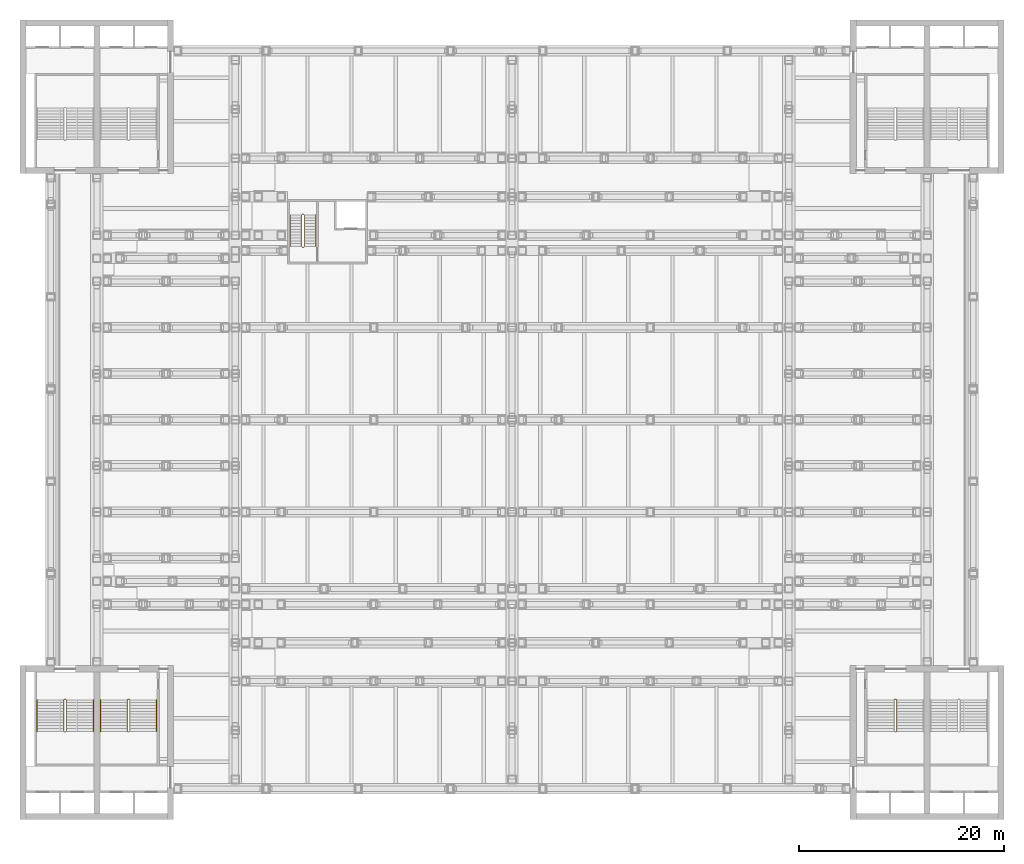
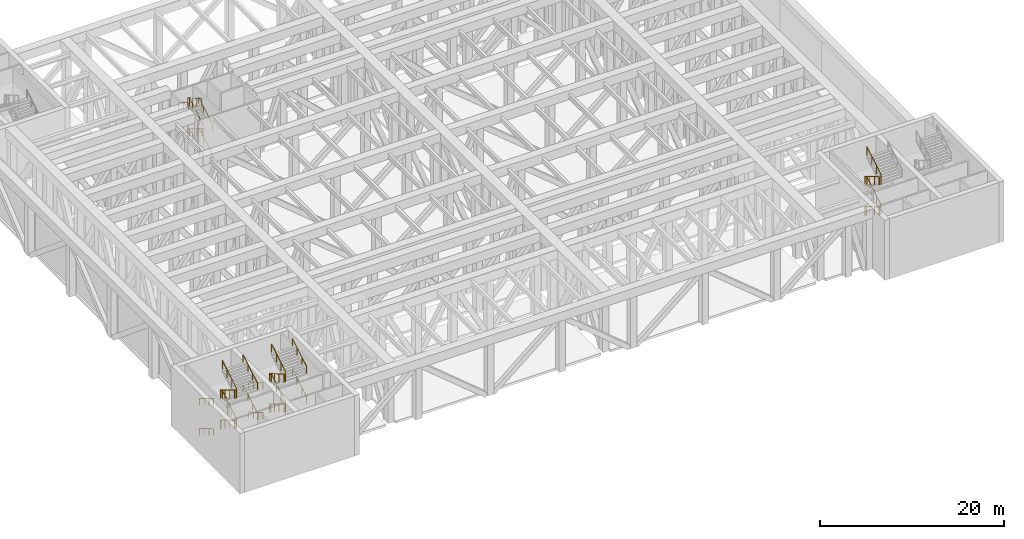
# One storey, part 18 of 20: 6 railings.
"""IFC4 building model written with IfcOpenShell, lengths in metres."""

from ifc_helpers import new_model, si_unit, direction, frame, origin, origin_2d, place, context, subcontext, project, spatial, circle, extrude, material, type_object, element, save


model = new_model("IFC4")

# Units and contexts
model_context = context("Model", 3, precision=1e-05, world=origin(), true_north=direction((0.0, 1.0)))
body_context = subcontext(model_context, "Body", "Model", "MODEL_VIEW")
ifc_project = project(units=[si_unit("LENGTHUNIT", "METRE"), si_unit("AREAUNIT", "SQUARE_METRE"), si_unit("VOLUMEUNIT", "CUBIC_METRE"), si_unit("PLANEANGLEUNIT", "RADIAN"), si_unit("MASSUNIT", "GRAM", prefix="KILO")], contexts=[model_context])

# Site, building, storey
site_placement = place(None, origin())
site = spatial("IfcSite", under=ifc_project, at=site_placement, CompositionType="ELEMENT")
building_placement = place(site_placement, origin())
building = spatial("IfcBuilding", under=site, at=building_placement, Name="Corbelhall Arena Tower", CompositionType="ELEMENT")
storey_placement = place(building_placement, frame((0.0, 0.0, 52.0)))
storey = spatial("IfcBuildingStorey", under=building, at=storey_placement, Name="L07", CompositionType="ELEMENT", Elevation=52.0)

# Railings
ifc_material_1 = material(Name="Stainless steel A4", Category="steel")
railing_type_1 = type_object("IfcRailingType", Name="AR-STAIR-GUARD", PredefinedType="GUARDRAIL", material=ifc_material_1)
railing_1_placement = place(storey_placement, frame((37.280029296875, -27.320068359375, 0.166748046875)))
element("IfcRailing", 1, at=railing_1_placement, inside=storey, type_object=railing_type_1, Name="L07 AS5 stair guards", PredefinedType="GUARDRAIL", context=body_context, shape_type="SweptSolid", body=[
    extrude(circle(Radius=0.02392578125, at=origin_2d()), frame((0.0, 0.0, 1.076171875), z_axis=(0.0, -0.859290745958, 0.51148745235), x_axis=(1.0, 0.0, 0.0)), (0.0, 0.0, 1.0), 3.584228515625),
    extrude(circle(Radius=0.02392578125, at=origin_2d()), frame((0.050048828125, -3.1298828125, 2.9091796875), z_axis=(1.0, 0.0, 0.0), x_axis=(0.0, 1.0, 0.0)), (0.0, 0.0, 1.0), 0.14990234375),
    extrude(circle(Radius=0.02392578125, at=origin_2d()), frame((0.25, -3.079833984375, 3.076171875), z_axis=(0.0, 0.859290745958, 0.51148745235), x_axis=(-1.0, 0.0, 0.0)), (0.0, 0.0, 1.0), 3.584228515625),
    extrude(circle(Radius=0.02392578125, at=origin_2d()), frame((0.050048828125, 0.050048828125, 4.9091796875), z_axis=(1.0, 0.0, 0.0), x_axis=(0.0, 1.0, 0.0)), (0.0, 0.0, 1.0), 0.14990234375),
    extrude(circle(Radius=0.02392578125, at=origin_2d()), frame((0.0, 0.0, 5.076171875), z_axis=(0.0, -0.859290745958, 0.51148745235), x_axis=(1.0, 0.0, 0.0)), (0.0, 0.0, 1.0), 3.584228515625),
    extrude(circle(Radius=0.02392578125, at=origin_2d()), frame((0.050048828125, -3.1298828125, 6.9091796875), z_axis=(1.0, 0.0, 0.0), x_axis=(0.0, 1.0, 0.0)), (0.0, 0.0, 1.0), 0.14990234375),
    extrude(circle(Radius=0.02392578125, at=origin_2d()), frame((0.25, -3.079833984375, 7.076171875), z_axis=(0.0, 0.859290745958, 0.51148745235), x_axis=(-1.0, 0.0, 0.0)), (0.0, 0.0, 1.0), 3.584228515625),
    extrude(circle(Radius=0.02392578125, at=origin_2d()), frame((0.050048828125, 0.050048828125, 0.9091796875), z_axis=(1.0, 0.0, 0.0), x_axis=(0.0, 1.0, 0.0)), (0.0, 0.0, 1.0), 0.14990234375),
    extrude(circle(Radius=0.02099609375, at=origin_2d()), origin(), (0.0, 0.0, 1.0), 1.052001953125),
    extrude(circle(Radius=0.02099609375, at=origin_2d()), frame((0.0, -1.026611328125, 0.611083984375)), (0.0, 0.0, 1.0), 1.052001953125),
    extrude(circle(Radius=0.02099609375, at=origin_2d()), frame((0.0, -2.05322265625, 1.22216796875)), (0.0, 0.0, 1.0), 1.052001953125),
    extrude(circle(Radius=0.02099609375, at=origin_2d()), frame((0.0, -3.079833984375, 1.833251953125)), (0.0, 0.0, 1.0), 1.052001953125),
    extrude(circle(Radius=0.02099609375, at=origin_2d()), frame((0.050048828125, -3.1298828125, 1.833251953125)), (0.0, 0.0, 1.0), 1.052001953125),
    extrude(circle(Radius=0.02099609375, at=origin_2d()), frame((0.199951171875, -3.1298828125, 1.833251953125)), (0.0, 0.0, 1.0), 1.052001953125),
    extrude(circle(Radius=0.02099609375, at=origin_2d()), frame((0.25, -3.079833984375, 2.0)), (0.0, 0.0, 1.0), 1.052001953125),
    extrude(circle(Radius=0.02099609375, at=origin_2d()), frame((0.25, -2.05322265625, 2.611083984375)), (0.0, 0.0, 1.0), 1.052001953125),
    extrude(circle(Radius=0.02099609375, at=origin_2d()), frame((0.25, -1.026611328125, 3.22216796875)), (0.0, 0.0, 1.0), 1.052001953125),
    extrude(circle(Radius=0.02099609375, at=origin_2d()), frame((0.25, 0.0, 3.833251953125)), (0.0, 0.0, 1.0), 1.052001953125),
    extrude(circle(Radius=0.02099609375, at=origin_2d()), frame((0.050048828125, 0.050048828125, 3.833251953125)), (0.0, 0.0, 1.0), 1.052001953125),
    extrude(circle(Radius=0.02099609375, at=origin_2d()), frame((0.199951171875, 0.050048828125, 3.833251953125)), (0.0, 0.0, 1.0), 1.052001953125),
    extrude(circle(Radius=0.02099609375, at=origin_2d()), frame((0.0, 0.0, 4.0)), (0.0, 0.0, 1.0), 1.052001953125),
    extrude(circle(Radius=0.02099609375, at=origin_2d()), frame((0.0, -1.026611328125, 4.611083984375)), (0.0, 0.0, 1.0), 1.052001953125),
    extrude(circle(Radius=0.02099609375, at=origin_2d()), frame((0.0, -2.05322265625, 5.22216796875)), (0.0, 0.0, 1.0), 1.052001953125),
    extrude(circle(Radius=0.02099609375, at=origin_2d()), frame((0.0, -3.079833984375, 5.833251953125)), (0.0, 0.0, 1.0), 1.052001953125),
    extrude(circle(Radius=0.02099609375, at=origin_2d()), frame((0.050048828125, -3.1298828125, 5.833251953125)), (0.0, 0.0, 1.0), 1.052001953125),
    extrude(circle(Radius=0.02099609375, at=origin_2d()), frame((0.199951171875, -3.1298828125, 5.833251953125)), (0.0, 0.0, 1.0), 1.052001953125),
    extrude(circle(Radius=0.02099609375, at=origin_2d()), frame((0.25, -3.079833984375, 6.0)), (0.0, 0.0, 1.0), 1.052001953125),
    extrude(circle(Radius=0.02099609375, at=origin_2d()), frame((0.25, -2.05322265625, 6.611083984375)), (0.0, 0.0, 1.0), 1.052001953125),
    extrude(circle(Radius=0.02099609375, at=origin_2d()), frame((0.25, -1.026611328125, 7.22216796875)), (0.0, 0.0, 1.0), 1.052001953125),
    extrude(circle(Radius=0.02099609375, at=origin_2d()), frame((0.25, 0.0, 7.833251953125)), (0.0, 0.0, 1.0), 1.052001953125),
    extrude(circle(Radius=0.02099609375, at=origin_2d()), frame((0.050048828125, 0.050048828125, -0.166748046875)), (0.0, 0.0, 1.0), 1.052001953125),
    extrude(circle(Radius=0.02099609375, at=origin_2d()), frame((0.199951171875, 0.050048828125, -0.166748046875)), (0.0, 0.0, 1.0), 1.052001953125),
])
railing_2_placement = place(storey_placement, frame((-37.530029296875, -27.320068359375, 0.166748046875)))
element("IfcRailing", 2, at=railing_2_placement, inside=storey, type_object=railing_type_1, Name="L07 AS7 stair guards", PredefinedType="GUARDRAIL", context=body_context, shape_type="SweptSolid", body=[
    extrude(circle(Radius=0.02392578125, at=origin_2d()), frame((0.0, 0.0, 1.076171875), z_axis=(0.0, -0.859290745958, 0.51148745235), x_axis=(1.0, 0.0, 0.0)), (0.0, 0.0, 1.0), 3.584228515625),
    extrude(circle(Radius=0.02392578125, at=origin_2d()), frame((0.050048828125, -3.1298828125, 2.9091796875), z_axis=(1.0, 0.0, 0.0), x_axis=(0.0, 1.0, 0.0)), (0.0, 0.0, 1.0), 0.14990234375),
    extrude(circle(Radius=0.02392578125, at=origin_2d()), frame((0.25, -3.079833984375, 3.076171875), z_axis=(0.0, 0.859290745958, 0.51148745235), x_axis=(-1.0, 0.0, 0.0)), (0.0, 0.0, 1.0), 3.584228515625),
    extrude(circle(Radius=0.02392578125, at=origin_2d()), frame((0.050048828125, 0.050048828125, 4.9091796875), z_axis=(1.0, 0.0, 0.0), x_axis=(0.0, 1.0, 0.0)), (0.0, 0.0, 1.0), 0.14990234375),
    extrude(circle(Radius=0.02392578125, at=origin_2d()), frame((0.0, 0.0, 5.076171875), z_axis=(0.0, -0.859290745958, 0.51148745235), x_axis=(1.0, 0.0, 0.0)), (0.0, 0.0, 1.0), 3.584228515625),
    extrude(circle(Radius=0.02392578125, at=origin_2d()), frame((0.050048828125, -3.1298828125, 6.9091796875), z_axis=(1.0, 0.0, 0.0), x_axis=(0.0, 1.0, 0.0)), (0.0, 0.0, 1.0), 0.14990234375),
    extrude(circle(Radius=0.02392578125, at=origin_2d()), frame((0.25, -3.079833984375, 7.076171875), z_axis=(0.0, 0.859290745958, 0.51148745235), x_axis=(-1.0, 0.0, 0.0)), (0.0, 0.0, 1.0), 3.584228515625),
    extrude(circle(Radius=0.02392578125, at=origin_2d()), frame((0.050048828125, 0.050048828125, 0.9091796875), z_axis=(1.0, 0.0, 0.0), x_axis=(0.0, 1.0, 0.0)), (0.0, 0.0, 1.0), 0.14990234375),
    extrude(circle(Radius=0.02099609375, at=origin_2d()), origin(), (0.0, 0.0, 1.0), 1.052001953125),
    extrude(circle(Radius=0.02099609375, at=origin_2d()), frame((0.0, -1.026611328125, 0.611083984375)), (0.0, 0.0, 1.0), 1.052001953125),
    extrude(circle(Radius=0.02099609375, at=origin_2d()), frame((0.0, -2.05322265625, 1.22216796875)), (0.0, 0.0, 1.0), 1.052001953125),
    extrude(circle(Radius=0.02099609375, at=origin_2d()), frame((0.0, -3.079833984375, 1.833251953125)), (0.0, 0.0, 1.0), 1.052001953125),
    extrude(circle(Radius=0.02099609375, at=origin_2d()), frame((0.050048828125, -3.1298828125, 1.833251953125)), (0.0, 0.0, 1.0), 1.052001953125),
    extrude(circle(Radius=0.02099609375, at=origin_2d()), frame((0.199951171875, -3.1298828125, 1.833251953125)), (0.0, 0.0, 1.0), 1.052001953125),
    extrude(circle(Radius=0.02099609375, at=origin_2d()), frame((0.25, -3.079833984375, 2.0)), (0.0, 0.0, 1.0), 1.052001953125),
    extrude(circle(Radius=0.02099609375, at=origin_2d()), frame((0.25, -2.05322265625, 2.611083984375)), (0.0, 0.0, 1.0), 1.052001953125),
    extrude(circle(Radius=0.02099609375, at=origin_2d()), frame((0.25, -1.026611328125, 3.22216796875)), (0.0, 0.0, 1.0), 1.052001953125),
    extrude(circle(Radius=0.02099609375, at=origin_2d()), frame((0.25, 0.0, 3.833251953125)), (0.0, 0.0, 1.0), 1.052001953125),
    extrude(circle(Radius=0.02099609375, at=origin_2d()), frame((0.050048828125, 0.050048828125, 3.833251953125)), (0.0, 0.0, 1.0), 1.052001953125),
    extrude(circle(Radius=0.02099609375, at=origin_2d()), frame((0.199951171875, 0.050048828125, 3.833251953125)), (0.0, 0.0, 1.0), 1.052001953125),
    extrude(circle(Radius=0.02099609375, at=origin_2d()), frame((0.0, 0.0, 4.0)), (0.0, 0.0, 1.0), 1.052001953125),
    extrude(circle(Radius=0.02099609375, at=origin_2d()), frame((0.0, -1.026611328125, 4.611083984375)), (0.0, 0.0, 1.0), 1.052001953125),
    extrude(circle(Radius=0.02099609375, at=origin_2d()), frame((0.0, -2.05322265625, 5.22216796875)), (0.0, 0.0, 1.0), 1.052001953125),
    extrude(circle(Radius=0.02099609375, at=origin_2d()), frame((0.0, -3.079833984375, 5.833251953125)), (0.0, 0.0, 1.0), 1.052001953125),
    extrude(circle(Radius=0.02099609375, at=origin_2d()), frame((0.050048828125, -3.1298828125, 5.833251953125)), (0.0, 0.0, 1.0), 1.052001953125),
    extrude(circle(Radius=0.02099609375, at=origin_2d()), frame((0.199951171875, -3.1298828125, 5.833251953125)), (0.0, 0.0, 1.0), 1.052001953125),
    extrude(circle(Radius=0.02099609375, at=origin_2d()), frame((0.25, -3.079833984375, 6.0)), (0.0, 0.0, 1.0), 1.052001953125),
    extrude(circle(Radius=0.02099609375, at=origin_2d()), frame((0.25, -2.05322265625, 6.611083984375)), (0.0, 0.0, 1.0), 1.052001953125),
    extrude(circle(Radius=0.02099609375, at=origin_2d()), frame((0.25, -1.026611328125, 7.22216796875)), (0.0, 0.0, 1.0), 1.052001953125),
    extrude(circle(Radius=0.02099609375, at=origin_2d()), frame((0.25, 0.0, 7.833251953125)), (0.0, 0.0, 1.0), 1.052001953125),
    extrude(circle(Radius=0.02099609375, at=origin_2d()), frame((0.050048828125, 0.050048828125, -0.166748046875)), (0.0, 0.0, 1.0), 1.052001953125),
    extrude(circle(Radius=0.02099609375, at=origin_2d()), frame((0.199951171875, 0.050048828125, -0.166748046875)), (0.0, 0.0, 1.0), 1.052001953125),
])
railing_3_placement = place(storey_placement, frame((-43.719970703125, -27.320068359375, 0.166748046875)))
element("IfcRailing", 3, at=railing_3_placement, inside=storey, type_object=railing_type_1, Name="L07 AS8 stair guards", PredefinedType="GUARDRAIL", context=body_context, shape_type="SweptSolid", body=[
    extrude(circle(Radius=0.02392578125, at=origin_2d()), frame((0.0, 0.0, 1.076171875), z_axis=(0.0, -0.859290745958, 0.51148745235), x_axis=(1.0, 0.0, 0.0)), (0.0, 0.0, 1.0), 3.584228515625),
    extrude(circle(Radius=0.02392578125, at=origin_2d()), frame((0.050048828125, -3.1298828125, 2.9091796875), z_axis=(1.0, 0.0, 0.0), x_axis=(0.0, 1.0, 0.0)), (0.0, 0.0, 1.0), 0.14990234375),
    extrude(circle(Radius=0.02392578125, at=origin_2d()), frame((0.25, -3.079833984375, 3.076171875), z_axis=(0.0, 0.859290745958, 0.51148745235), x_axis=(-1.0, 0.0, 0.0)), (0.0, 0.0, 1.0), 3.584228515625),
    extrude(circle(Radius=0.02392578125, at=origin_2d()), frame((0.050048828125, 0.050048828125, 4.9091796875), z_axis=(1.0, 0.0, 0.0), x_axis=(0.0, 1.0, 0.0)), (0.0, 0.0, 1.0), 0.14990234375),
    extrude(circle(Radius=0.02392578125, at=origin_2d()), frame((0.0, 0.0, 5.076171875), z_axis=(0.0, -0.859290745958, 0.51148745235), x_axis=(1.0, 0.0, 0.0)), (0.0, 0.0, 1.0), 3.584228515625),
    extrude(circle(Radius=0.02392578125, at=origin_2d()), frame((0.050048828125, -3.1298828125, 6.9091796875), z_axis=(1.0, 0.0, 0.0), x_axis=(0.0, 1.0, 0.0)), (0.0, 0.0, 1.0), 0.14990234375),
    extrude(circle(Radius=0.02392578125, at=origin_2d()), frame((0.25, -3.079833984375, 7.076171875), z_axis=(0.0, 0.859290745958, 0.51148745235), x_axis=(-1.0, 0.0, 0.0)), (0.0, 0.0, 1.0), 3.584228515625),
    extrude(circle(Radius=0.02392578125, at=origin_2d()), frame((0.050048828125, 0.050048828125, 0.9091796875), z_axis=(1.0, 0.0, 0.0), x_axis=(0.0, 1.0, 0.0)), (0.0, 0.0, 1.0), 0.14990234375),
    extrude(circle(Radius=0.02099609375, at=origin_2d()), origin(), (0.0, 0.0, 1.0), 1.052001953125),
    extrude(circle(Radius=0.02099609375, at=origin_2d()), frame((0.0, -1.026611328125, 0.611083984375)), (0.0, 0.0, 1.0), 1.052001953125),
    extrude(circle(Radius=0.02099609375, at=origin_2d()), frame((0.0, -2.05322265625, 1.22216796875)), (0.0, 0.0, 1.0), 1.052001953125),
    extrude(circle(Radius=0.02099609375, at=origin_2d()), frame((0.0, -3.079833984375, 1.833251953125)), (0.0, 0.0, 1.0), 1.052001953125),
    extrude(circle(Radius=0.02099609375, at=origin_2d()), frame((0.050048828125, -3.1298828125, 1.833251953125)), (0.0, 0.0, 1.0), 1.052001953125),
    extrude(circle(Radius=0.02099609375, at=origin_2d()), frame((0.199951171875, -3.1298828125, 1.833251953125)), (0.0, 0.0, 1.0), 1.052001953125),
    extrude(circle(Radius=0.02099609375, at=origin_2d()), frame((0.25, -3.079833984375, 2.0)), (0.0, 0.0, 1.0), 1.052001953125),
    extrude(circle(Radius=0.02099609375, at=origin_2d()), frame((0.25, -2.05322265625, 2.611083984375)), (0.0, 0.0, 1.0), 1.052001953125),
    extrude(circle(Radius=0.02099609375, at=origin_2d()), frame((0.25, -1.026611328125, 3.22216796875)), (0.0, 0.0, 1.0), 1.052001953125),
    extrude(circle(Radius=0.02099609375, at=origin_2d()), frame((0.25, 0.0, 3.833251953125)), (0.0, 0.0, 1.0), 1.052001953125),
    extrude(circle(Radius=0.02099609375, at=origin_2d()), frame((0.050048828125, 0.050048828125, 3.833251953125)), (0.0, 0.0, 1.0), 1.052001953125),
    extrude(circle(Radius=0.02099609375, at=origin_2d()), frame((0.199951171875, 0.050048828125, 3.833251953125)), (0.0, 0.0, 1.0), 1.052001953125),
    extrude(circle(Radius=0.02099609375, at=origin_2d()), frame((0.0, 0.0, 4.0)), (0.0, 0.0, 1.0), 1.052001953125),
    extrude(circle(Radius=0.02099609375, at=origin_2d()), frame((0.0, -1.026611328125, 4.611083984375)), (0.0, 0.0, 1.0), 1.052001953125),
    extrude(circle(Radius=0.02099609375, at=origin_2d()), frame((0.0, -2.05322265625, 5.22216796875)), (0.0, 0.0, 1.0), 1.052001953125),
    extrude(circle(Radius=0.02099609375, at=origin_2d()), frame((0.0, -3.079833984375, 5.833251953125)), (0.0, 0.0, 1.0), 1.052001953125),
    extrude(circle(Radius=0.02099609375, at=origin_2d()), frame((0.050048828125, -3.1298828125, 5.833251953125)), (0.0, 0.0, 1.0), 1.052001953125),
    extrude(circle(Radius=0.02099609375, at=origin_2d()), frame((0.199951171875, -3.1298828125, 5.833251953125)), (0.0, 0.0, 1.0), 1.052001953125),
    extrude(circle(Radius=0.02099609375, at=origin_2d()), frame((0.25, -3.079833984375, 6.0)), (0.0, 0.0, 1.0), 1.052001953125),
    extrude(circle(Radius=0.02099609375, at=origin_2d()), frame((0.25, -2.05322265625, 6.611083984375)), (0.0, 0.0, 1.0), 1.052001953125),
    extrude(circle(Radius=0.02099609375, at=origin_2d()), frame((0.25, -1.026611328125, 7.22216796875)), (0.0, 0.0, 1.0), 1.052001953125),
    extrude(circle(Radius=0.02099609375, at=origin_2d()), frame((0.25, 0.0, 7.833251953125)), (0.0, 0.0, 1.0), 1.052001953125),
    extrude(circle(Radius=0.02099609375, at=origin_2d()), frame((0.050048828125, 0.050048828125, -0.166748046875)), (0.0, 0.0, 1.0), 1.052001953125),
    extrude(circle(Radius=0.02099609375, at=origin_2d()), frame((0.199951171875, 0.050048828125, -0.166748046875)), (0.0, 0.0, 1.0), 1.052001953125),
])
railing_type_2 = type_object("IfcRailingType", Name="AR-STAIR-HANDRAIL", PredefinedType="HANDRAIL", material=ifc_material_1)
railing_4_placement = place(storey_placement, frame((-40.14990234375, -27.320068359375, 0.166748046875)))
element("IfcRailing", 4, at=railing_4_placement, inside=storey, type_object=railing_type_2, Name="L07 AS7 stair handrails", PredefinedType="HANDRAIL", context=body_context, shape_type="SweptSolid", body=[
    extrude(circle(Radius=0.02392578125, at=origin_2d()), frame((0.0, 0.0, 0.8759765625), z_axis=(0.0, -0.859290745958, 0.51148745235), x_axis=(1.0, 0.0, 0.0)), (0.0, 0.0, 1.0), 3.584228515625),
    extrude(circle(Radius=0.02392578125, at=origin_2d()), frame((5.489990234375, -3.079833984375, 2.8759765625), z_axis=(0.0, 0.859290745958, 0.51148745235), x_axis=(-1.0, 0.0, 0.0)), (0.0, 0.0, 1.0), 3.584228515625),
    extrude(circle(Radius=0.02392578125, at=origin_2d()), frame((0.0, 0.0, 4.8759765625), z_axis=(0.0, -0.859290745958, 0.51148745235), x_axis=(1.0, 0.0, 0.0)), (0.0, 0.0, 1.0), 3.584228515625),
    extrude(circle(Radius=0.02392578125, at=origin_2d()), frame((5.489990234375, -3.079833984375, 6.8759765625), z_axis=(0.0, 0.859290745958, 0.51148745235), x_axis=(-1.0, 0.0, 0.0)), (0.0, 0.0, 1.0), 3.584228515625),
    extrude(circle(Radius=0.02099609375, at=origin_2d()), origin(), (0.0, 0.0, 1.0), 0.851806640625),
    extrude(circle(Radius=0.02099609375, at=origin_2d()), frame((0.0, -1.026611328125, 0.611083984375)), (0.0, 0.0, 1.0), 0.851806640625),
    extrude(circle(Radius=0.02099609375, at=origin_2d()), frame((0.0, -2.05322265625, 1.22216796875)), (0.0, 0.0, 1.0), 0.851806640625),
    extrude(circle(Radius=0.02099609375, at=origin_2d()), frame((0.0, -3.079833984375, 1.833251953125)), (0.0, 0.0, 1.0), 0.851806640625),
    extrude(circle(Radius=0.02099609375, at=origin_2d()), frame((5.489990234375, -3.079833984375, 2.0)), (0.0, 0.0, 1.0), 0.851806640625),
    extrude(circle(Radius=0.02099609375, at=origin_2d()), frame((5.489990234375, -2.05322265625, 2.611083984375)), (0.0, 0.0, 1.0), 0.851806640625),
    extrude(circle(Radius=0.02099609375, at=origin_2d()), frame((5.489990234375, -1.026611328125, 3.22216796875)), (0.0, 0.0, 1.0), 0.851806640625),
    extrude(circle(Radius=0.02099609375, at=origin_2d()), frame((5.489990234375, 0.0, 3.833251953125)), (0.0, 0.0, 1.0), 0.851806640625),
    extrude(circle(Radius=0.02099609375, at=origin_2d()), frame((0.0, 0.0, 4.0)), (0.0, 0.0, 1.0), 0.851806640625),
    extrude(circle(Radius=0.02099609375, at=origin_2d()), frame((0.0, -1.026611328125, 4.611083984375)), (0.0, 0.0, 1.0), 0.851806640625),
    extrude(circle(Radius=0.02099609375, at=origin_2d()), frame((0.0, -2.05322265625, 5.22216796875)), (0.0, 0.0, 1.0), 0.851806640625),
    extrude(circle(Radius=0.02099609375, at=origin_2d()), frame((0.0, -3.079833984375, 5.833251953125)), (0.0, 0.0, 1.0), 0.851806640625),
    extrude(circle(Radius=0.02099609375, at=origin_2d()), frame((5.489990234375, -3.079833984375, 6.0)), (0.0, 0.0, 1.0), 0.851806640625),
    extrude(circle(Radius=0.02099609375, at=origin_2d()), frame((5.489990234375, -2.05322265625, 6.611083984375)), (0.0, 0.0, 1.0), 0.851806640625),
    extrude(circle(Radius=0.02099609375, at=origin_2d()), frame((5.489990234375, -1.026611328125, 7.22216796875)), (0.0, 0.0, 1.0), 0.851806640625),
    extrude(circle(Radius=0.02099609375, at=origin_2d()), frame((5.489990234375, 0.0, 7.833251953125)), (0.0, 0.0, 1.0), 0.851806640625),
])
railing_5_placement = place(storey_placement, frame((-46.340087890625, -27.320068359375, 0.166748046875)))
element("IfcRailing", 5, at=railing_5_placement, inside=storey, type_object=railing_type_2, Name="L07 AS8 stair handrails", PredefinedType="HANDRAIL", context=body_context, shape_type="SweptSolid", body=[
    extrude(circle(Radius=0.02392578125, at=origin_2d()), frame((0.0, 0.0, 0.8759765625), z_axis=(0.0, -0.859290745958, 0.51148745235), x_axis=(1.0, 0.0, 0.0)), (0.0, 0.0, 1.0), 3.584228515625),
    extrude(circle(Radius=0.02392578125, at=origin_2d()), frame((5.489990234375, -3.079833984375, 2.8759765625), z_axis=(0.0, 0.859290745958, 0.51148745235), x_axis=(-1.0, 0.0, 0.0)), (0.0, 0.0, 1.0), 3.584228515625),
    extrude(circle(Radius=0.02392578125, at=origin_2d()), frame((0.0, 0.0, 4.8759765625), z_axis=(0.0, -0.859290745958, 0.51148745235), x_axis=(1.0, 0.0, 0.0)), (0.0, 0.0, 1.0), 3.584228515625),
    extrude(circle(Radius=0.02392578125, at=origin_2d()), frame((5.489990234375, -3.079833984375, 6.8759765625), z_axis=(0.0, 0.859290745958, 0.51148745235), x_axis=(-1.0, 0.0, 0.0)), (0.0, 0.0, 1.0), 3.584228515625),
    extrude(circle(Radius=0.02099609375, at=origin_2d()), origin(), (0.0, 0.0, 1.0), 0.851806640625),
    extrude(circle(Radius=0.02099609375, at=origin_2d()), frame((0.0, -1.026611328125, 0.611083984375)), (0.0, 0.0, 1.0), 0.851806640625),
    extrude(circle(Radius=0.02099609375, at=origin_2d()), frame((0.0, -2.05322265625, 1.22216796875)), (0.0, 0.0, 1.0), 0.851806640625),
    extrude(circle(Radius=0.02099609375, at=origin_2d()), frame((0.0, -3.079833984375, 1.833251953125)), (0.0, 0.0, 1.0), 0.851806640625),
    extrude(circle(Radius=0.02099609375, at=origin_2d()), frame((5.489990234375, -3.079833984375, 2.0)), (0.0, 0.0, 1.0), 0.851806640625),
    extrude(circle(Radius=0.02099609375, at=origin_2d()), frame((5.489990234375, -2.05322265625, 2.611083984375)), (0.0, 0.0, 1.0), 0.851806640625),
    extrude(circle(Radius=0.02099609375, at=origin_2d()), frame((5.489990234375, -1.026611328125, 3.22216796875)), (0.0, 0.0, 1.0), 0.851806640625),
    extrude(circle(Radius=0.02099609375, at=origin_2d()), frame((5.489990234375, 0.0, 3.833251953125)), (0.0, 0.0, 1.0), 0.851806640625),
    extrude(circle(Radius=0.02099609375, at=origin_2d()), frame((0.0, 0.0, 4.0)), (0.0, 0.0, 1.0), 0.851806640625),
    extrude(circle(Radius=0.02099609375, at=origin_2d()), frame((0.0, -1.026611328125, 4.611083984375)), (0.0, 0.0, 1.0), 0.851806640625),
    extrude(circle(Radius=0.02099609375, at=origin_2d()), frame((0.0, -2.05322265625, 5.22216796875)), (0.0, 0.0, 1.0), 0.851806640625),
    extrude(circle(Radius=0.02099609375, at=origin_2d()), frame((0.0, -3.079833984375, 5.833251953125)), (0.0, 0.0, 1.0), 0.851806640625),
    extrude(circle(Radius=0.02099609375, at=origin_2d()), frame((5.489990234375, -3.079833984375, 6.0)), (0.0, 0.0, 1.0), 0.851806640625),
    extrude(circle(Radius=0.02099609375, at=origin_2d()), frame((5.489990234375, -2.05322265625, 6.611083984375)), (0.0, 0.0, 1.0), 0.851806640625),
    extrude(circle(Radius=0.02099609375, at=origin_2d()), frame((5.489990234375, -1.026611328125, 7.22216796875)), (0.0, 0.0, 1.0), 0.851806640625),
    extrude(circle(Radius=0.02099609375, at=origin_2d()), frame((5.489990234375, 0.0, 7.833251953125)), (0.0, 0.0, 1.0), 0.851806640625),
])
ifc_material_2 = material(Name="Steel ASTM A500 Gr C", Category="steel")
railing_type_3 = type_object("IfcRailingType", Name="IN-GD-1100", PredefinedType="GUARDRAIL", material=ifc_material_2)
railing_6_placement = place(storey_placement, frame((-20.2451171875, 16.89990234375, 0.166748046875)))
element("IfcRailing", 6, at=railing_6_placement, inside=storey, type_object=railing_type_3, Name="L07 AS17 stair guards and handrails", PredefinedType="GUARDRAIL", context=body_context, shape_type="SweptSolid", body=[
    extrude(circle(Radius=0.02392578125, at=origin_2d()), frame((0.0, 0.0, 1.076171875), z_axis=(0.0, 0.859308565015, 0.511457515432), x_axis=(-1.0, 0.0, 0.0)), (0.0, 0.0, 1.0), 3.58447265625),
    extrude(circle(Radius=0.02392578125, at=origin_2d()), frame((-0.0498046875, 3.130126953125, 2.9091796875), z_axis=(-1.0, 0.0, 0.0), x_axis=(0.0, -1.0, 0.0)), (0.0, 0.0, 1.0), 0.2001953125),
    extrude(circle(Radius=0.02392578125, at=origin_2d()), frame((-0.2998046875, 3.080078125, 3.076171875), z_axis=(0.0, -0.859308565015, 0.511457515432), x_axis=(1.0, 0.0, 0.0)), (0.0, 0.0, 1.0), 3.58447265625),
    extrude(circle(Radius=0.02392578125, at=origin_2d()), frame((-0.0498046875, -0.0498046875, 4.9091796875), z_axis=(-1.0, 0.0, 0.0), x_axis=(0.0, -1.0, 0.0)), (0.0, 0.0, 1.0), 0.2001953125),
    extrude(circle(Radius=0.02392578125, at=origin_2d()), frame((0.0, 0.0, 5.076171875), z_axis=(0.0, 0.859308565015, 0.511457515432), x_axis=(-1.0, 0.0, 0.0)), (0.0, 0.0, 1.0), 3.58447265625),
    extrude(circle(Radius=0.02392578125, at=origin_2d()), frame((-0.0498046875, 3.130126953125, 6.9091796875), z_axis=(-1.0, 0.0, 0.0), x_axis=(0.0, -1.0, 0.0)), (0.0, 0.0, 1.0), 0.2001953125),
    extrude(circle(Radius=0.02392578125, at=origin_2d()), frame((-0.2998046875, 3.080078125, 7.076171875), z_axis=(0.0, -0.859308565015, 0.511457515432), x_axis=(1.0, 0.0, 0.0)), (0.0, 0.0, 1.0), 3.58447265625),
    extrude(circle(Radius=0.02392578125, at=origin_2d()), frame((-0.0498046875, -0.0498046875, 0.9091796875), z_axis=(-1.0, 0.0, 0.0), x_axis=(0.0, -1.0, 0.0)), (0.0, 0.0, 1.0), 0.2001953125),
    extrude(circle(Radius=0.02392578125, at=origin_2d()), frame((1.10009765625, 0.0, 0.8759765625), z_axis=(0.0, 0.859308565015, 0.511457515432), x_axis=(-1.0, 0.0, 0.0)), (0.0, 0.0, 1.0), 3.58447265625),
    extrude(circle(Radius=0.02392578125, at=origin_2d()), frame((-1.39990234375, 3.080078125, 2.8759765625), z_axis=(0.0, -0.859308565015, 0.511457515432), x_axis=(1.0, 0.0, 0.0)), (0.0, 0.0, 1.0), 3.58447265625),
    extrude(circle(Radius=0.02392578125, at=origin_2d()), frame((1.10009765625, 0.0, 4.8759765625), z_axis=(0.0, 0.859308565015, 0.511457515432), x_axis=(-1.0, 0.0, 0.0)), (0.0, 0.0, 1.0), 3.58447265625),
    extrude(circle(Radius=0.02392578125, at=origin_2d()), frame((-1.39990234375, 3.080078125, 6.8759765625), z_axis=(0.0, -0.859308565015, 0.511457515432), x_axis=(1.0, 0.0, 0.0)), (0.0, 0.0, 1.0), 3.58447265625),
    extrude(circle(Radius=0.02099609375, at=origin_2d()), origin(), (0.0, 0.0, 1.0), 1.052001953125),
    extrude(circle(Radius=0.02099609375, at=origin_2d()), frame((0.0, 1.026611328125, 0.611083984375)), (0.0, 0.0, 1.0), 1.052001953125),
    extrude(circle(Radius=0.02099609375, at=origin_2d()), frame((0.0, 2.053466796875, 1.22216796875)), (0.0, 0.0, 1.0), 1.052001953125),
    extrude(circle(Radius=0.02099609375, at=origin_2d()), frame((0.0, 3.080078125, 1.833251953125)), (0.0, 0.0, 1.0), 1.052001953125),
    extrude(circle(Radius=0.02099609375, at=origin_2d()), frame((-0.0498046875, 3.130126953125, 1.833251953125)), (0.0, 0.0, 1.0), 1.052001953125),
    extrude(circle(Radius=0.02099609375, at=origin_2d()), frame((-0.25, 3.130126953125, 1.833251953125)), (0.0, 0.0, 1.0), 1.052001953125),
    extrude(circle(Radius=0.02099609375, at=origin_2d()), frame((-0.2998046875, 3.080078125, 2.0)), (0.0, 0.0, 1.0), 1.052001953125),
    extrude(circle(Radius=0.02099609375, at=origin_2d()), frame((-0.2998046875, 2.053466796875, 2.611083984375)), (0.0, 0.0, 1.0), 1.052001953125),
    extrude(circle(Radius=0.02099609375, at=origin_2d()), frame((-0.2998046875, 1.026611328125, 3.22216796875)), (0.0, 0.0, 1.0), 1.052001953125),
    extrude(circle(Radius=0.02099609375, at=origin_2d()), frame((-0.2998046875, 0.0, 3.833251953125)), (0.0, 0.0, 1.0), 1.052001953125),
    extrude(circle(Radius=0.02099609375, at=origin_2d()), frame((-0.0498046875, -0.0498046875, 3.833251953125)), (0.0, 0.0, 1.0), 1.052001953125),
    extrude(circle(Radius=0.02099609375, at=origin_2d()), frame((-0.25, -0.0498046875, 3.833251953125)), (0.0, 0.0, 1.0), 1.052001953125),
    extrude(circle(Radius=0.02099609375, at=origin_2d()), frame((0.0, 0.0, 4.0)), (0.0, 0.0, 1.0), 1.052001953125),
    extrude(circle(Radius=0.02099609375, at=origin_2d()), frame((0.0, 1.026611328125, 4.611083984375)), (0.0, 0.0, 1.0), 1.052001953125),
    extrude(circle(Radius=0.02099609375, at=origin_2d()), frame((0.0, 2.053466796875, 5.22216796875)), (0.0, 0.0, 1.0), 1.052001953125),
    extrude(circle(Radius=0.02099609375, at=origin_2d()), frame((0.0, 3.080078125, 5.833251953125)), (0.0, 0.0, 1.0), 1.052001953125),
    extrude(circle(Radius=0.02099609375, at=origin_2d()), frame((-0.0498046875, 3.130126953125, 5.833251953125)), (0.0, 0.0, 1.0), 1.052001953125),
    extrude(circle(Radius=0.02099609375, at=origin_2d()), frame((-0.25, 3.130126953125, 5.833251953125)), (0.0, 0.0, 1.0), 1.052001953125),
    extrude(circle(Radius=0.02099609375, at=origin_2d()), frame((-0.2998046875, 3.080078125, 6.0)), (0.0, 0.0, 1.0), 1.052001953125),
    extrude(circle(Radius=0.02099609375, at=origin_2d()), frame((-0.2998046875, 2.053466796875, 6.611083984375)), (0.0, 0.0, 1.0), 1.052001953125),
    extrude(circle(Radius=0.02099609375, at=origin_2d()), frame((-0.2998046875, 1.026611328125, 7.22216796875)), (0.0, 0.0, 1.0), 1.052001953125),
    extrude(circle(Radius=0.02099609375, at=origin_2d()), frame((-0.2998046875, 0.0, 7.833251953125)), (0.0, 0.0, 1.0), 1.052001953125),
    extrude(circle(Radius=0.02099609375, at=origin_2d()), frame((-0.0498046875, -0.0498046875, -0.166748046875)), (0.0, 0.0, 1.0), 1.052001953125),
    extrude(circle(Radius=0.02099609375, at=origin_2d()), frame((-0.25, -0.0498046875, -0.166748046875)), (0.0, 0.0, 1.0), 1.052001953125),
    extrude(circle(Radius=0.02099609375, at=origin_2d()), frame((1.10009765625, 0.0, 0.0)), (0.0, 0.0, 1.0), 0.851806640625),
    extrude(circle(Radius=0.02099609375, at=origin_2d()), frame((1.10009765625, 1.026611328125, 0.611083984375)), (0.0, 0.0, 1.0), 0.851806640625),
    extrude(circle(Radius=0.02099609375, at=origin_2d()), frame((1.10009765625, 2.053466796875, 1.22216796875)), (0.0, 0.0, 1.0), 0.851806640625),
    extrude(circle(Radius=0.02099609375, at=origin_2d()), frame((1.10009765625, 3.080078125, 1.833251953125)), (0.0, 0.0, 1.0), 0.851806640625),
    extrude(circle(Radius=0.02099609375, at=origin_2d()), frame((-1.39990234375, 3.080078125, 2.0)), (0.0, 0.0, 1.0), 0.851806640625),
    extrude(circle(Radius=0.02099609375, at=origin_2d()), frame((-1.39990234375, 2.053466796875, 2.611083984375)), (0.0, 0.0, 1.0), 0.851806640625),
    extrude(circle(Radius=0.02099609375, at=origin_2d()), frame((-1.39990234375, 1.026611328125, 3.22216796875)), (0.0, 0.0, 1.0), 0.851806640625),
    extrude(circle(Radius=0.02099609375, at=origin_2d()), frame((-1.39990234375, 0.0, 3.833251953125)), (0.0, 0.0, 1.0), 0.851806640625),
    extrude(circle(Radius=0.02099609375, at=origin_2d()), frame((1.10009765625, 0.0, 4.0)), (0.0, 0.0, 1.0), 0.851806640625),
    extrude(circle(Radius=0.02099609375, at=origin_2d()), frame((1.10009765625, 1.026611328125, 4.611083984375)), (0.0, 0.0, 1.0), 0.851806640625),
    extrude(circle(Radius=0.02099609375, at=origin_2d()), frame((1.10009765625, 2.053466796875, 5.22216796875)), (0.0, 0.0, 1.0), 0.851806640625),
    extrude(circle(Radius=0.02099609375, at=origin_2d()), frame((1.10009765625, 3.080078125, 5.833251953125)), (0.0, 0.0, 1.0), 0.851806640625),
    extrude(circle(Radius=0.02099609375, at=origin_2d()), frame((-1.39990234375, 3.080078125, 6.0)), (0.0, 0.0, 1.0), 0.851806640625),
    extrude(circle(Radius=0.02099609375, at=origin_2d()), frame((-1.39990234375, 2.053466796875, 6.611083984375)), (0.0, 0.0, 1.0), 0.851806640625),
    extrude(circle(Radius=0.02099609375, at=origin_2d()), frame((-1.39990234375, 1.026611328125, 7.22216796875)), (0.0, 0.0, 1.0), 0.851806640625),
    extrude(circle(Radius=0.02099609375, at=origin_2d()), frame((-1.39990234375, 0.0, 7.833251953125)), (0.0, 0.0, 1.0), 0.851806640625),
])

save(model, "model.ifc")
